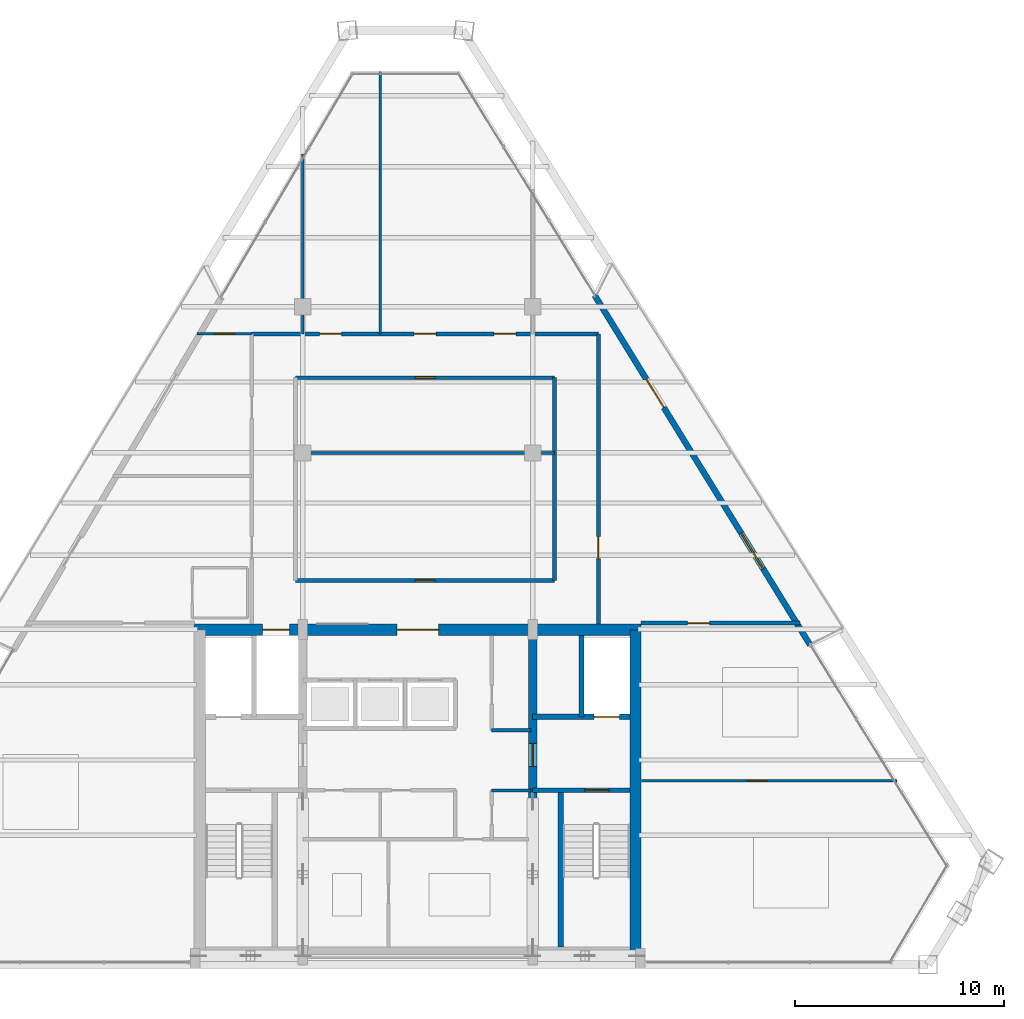
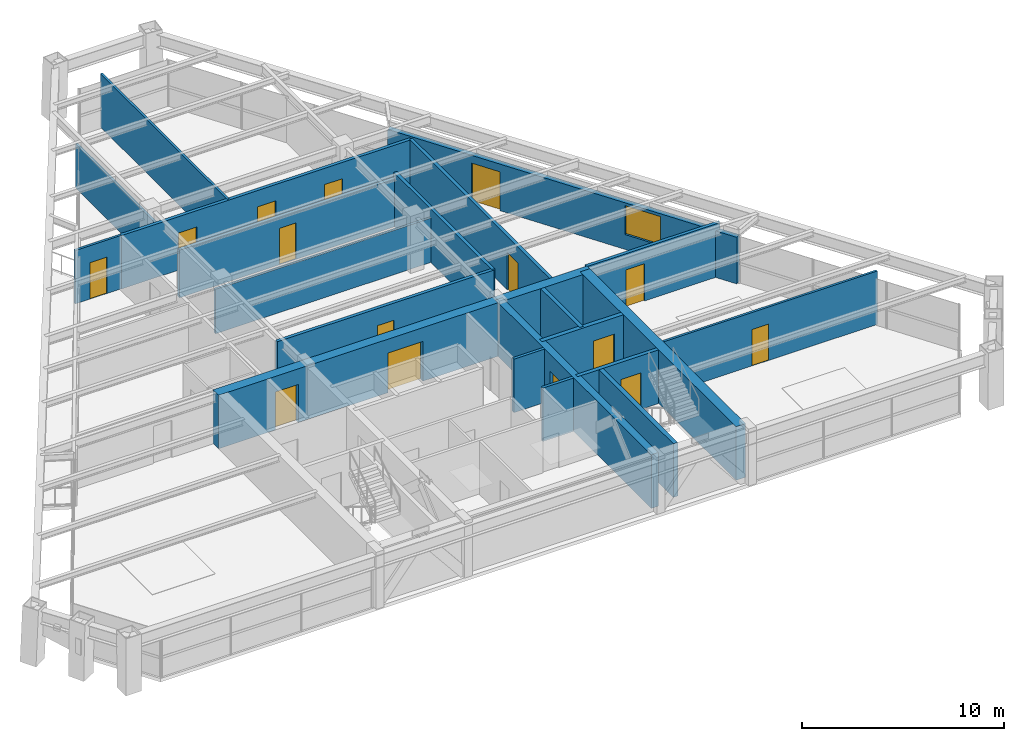
# One storey, part 10 of 14: 21 walls, 15 doors, 1 window, 16 openings.
"""IFC4 building model written with IfcOpenShell, lengths in metres."""

from ifc_helpers import new_model, si_unit, direction, frame, frame_2d, origin, place, context, subcontext, project, spatial, rectangle, extrude, source, transform, mapped, material, layer, layer_set, type_object, type_shapes, element, fill, save


model = new_model("IFC4")

# Units and contexts
model_context = context("Model", 3, precision=1e-05, world=origin(), true_north=direction((0.0, 1.0)))
body_context = subcontext(model_context, "Body", "Model", "MODEL_VIEW")
ifc_project = project(units=[si_unit("LENGTHUNIT", "METRE"), si_unit("AREAUNIT", "SQUARE_METRE"), si_unit("VOLUMEUNIT", "CUBIC_METRE"), si_unit("PLANEANGLEUNIT", "RADIAN"), si_unit("MASSUNIT", "GRAM", prefix="KILO")], contexts=[model_context])

# Site, building, storey
site_placement = place(None, origin())
site = spatial("IfcSite", under=ifc_project, at=site_placement, CompositionType="ELEMENT")
building_placement = place(site_placement, origin())
building = spatial("IfcBuilding", under=site, at=building_placement, Name="Varnakhor Terracotta Tower", CompositionType="ELEMENT")
storey_placement = place(building_placement, frame((0.0, 0.0, 240.699951171875)))
storey = spatial("IfcBuildingStorey", under=building, at=storey_placement, Name="L62", CompositionType="ELEMENT", Elevation=240.699951171875)

# Wall, openings, doors
ifc_material_1 = material(Name="Concrete C50/60", Category="concrete")
ifc_layer_1 = layer(ifc_material_1, 0.550048828125, Name="Concrete C50/60")
ifc_layer_set_1 = layer_set([ifc_layer_1], Name="Concrete C50/60")
wall_type_1 = type_object("IfcWallType", Name="WAL-CORE-550", PredefinedType="SHEAR", material=ifc_layer_set_1)
wall_1_placement = place(storey_placement, frame((-10.699951171875, 16.02490234375, 0.0), z_axis=(0.0, 0.0, 1.0), x_axis=(1.0, 0.0, 0.0)))
wall_1 = element("IfcWall", 1, at=wall_1_placement, inside=storey, type_object=wall_type_1, Name="L62 North Core Shear Wall", PredefinedType="SHEAR", context=body_context, shape_type="SweptSolid", body=[
    extrude(rectangle(XDim=21.39990234375, YDim=0.550048828125, at=frame_2d((10.699951171875, 0.0))), origin(), (0.0, 0.0, 1.0), 3.239990234375),
])
opening_1_placement = place(wall_1_placement, frame((3.27001953125, 0.0, 0.0)))
opening_1 = element("IfcOpeningElement", 2, at=opening_1_placement, cuts=wall_1, Name="Opening LD-03", PredefinedType="OPENING", context=body_context, shape_type="SweptSolid", body=[
    extrude(rectangle(XDim=1.300048828125, YDim=2.300048828125, at=frame_2d((0.64990234375, 1.14990234375))), frame((0.0, 0.28515625, 0.0), z_axis=(0.0, -1.0, 0.0), x_axis=(1.0, 0.0, 0.0)), (0.0, 0.0, 1.0), 0.570068359375),
])
opening_2_placement = place(wall_1_placement, frame((9.699951171875, 0.0, 0.0)))
opening_2 = element("IfcOpeningElement", 3, at=opening_2_placement, cuts=wall_1, Name="Opening DR-32", PredefinedType="OPENING", context=body_context, shape_type="SweptSolid", body=[
    extrude(rectangle(XDim=2.0, YDim=2.39990234375, at=frame_2d((1.0, 1.199951171875))), frame((0.0, 0.28515625, 0.0), z_axis=(0.0, -1.0, 0.0), x_axis=(1.0, 0.0, 0.0)), (0.0, 0.0, 1.0), 0.570068359375),
])
ifc_material_2 = material(Name="Heavy-Duty Goods Sliding Lift Landing Door", Category="steel")
door_type_1 = type_object("IfcDoorType", Name="LD-SRV-1300X2300", OperationType="NOTDEFINED", PredefinedType="DOOR", material=ifc_material_2)
shared_shape_1 = source(origin(), body_context, "Body", "SweptSolid", [
    extrude(rectangle(XDim=1.300048828125, YDim=2.300048828125, at=frame_2d((0.64990234375, 1.14990234375))), frame((0.0, 0.02490234375, 0.0), z_axis=(0.0, -1.0, 0.0), x_axis=(1.0, 0.0, 0.0)), (0.0, 0.0, 1.0), 0.050048828125),
])
type_shapes(door_type_1, [shared_shape_1])
door_1_placement = place(opening_1_placement, origin())
door_1 = element("IfcDoor", 4, at=door_1_placement, inside=storey, type_object=door_type_1, Name="L62 Service Lift SVL-1 Landing Door", OperationType="SLIDING_TO_RIGHT", OverallHeight=2.300048828125, OverallWidth=1.300048828125, PredefinedType="DOOR", context=body_context, shape_type="MappedRepresentation", body=[
    mapped(shared_shape_1, transform((0.0, 0.0, 0.0), scale=1.0)),
])
fill(opening_1, door_1)
ifc_material_3 = material(Name="Acoustic Double Assembly Fire Door", Category="wood")
door_type_2 = type_object("IfcDoorType", Name="DR-HALL-2000X2400", OperationType="NOTDEFINED", PredefinedType="DOOR", material=ifc_material_3)
shared_shape_2 = source(origin(), body_context, "Body", "SweptSolid", [
    extrude(rectangle(XDim=2.0, YDim=2.39990234375, at=frame_2d((1.0, 1.199951171875))), frame((0.0, 0.02490234375, 0.0), z_axis=(0.0, -1.0, 0.0), x_axis=(1.0, 0.0, 0.0)), (0.0, 0.0, 1.0), 0.050048828125),
])
type_shapes(door_type_2, [shared_shape_2])
door_2_placement = place(opening_2_placement, origin())
door_2 = element("IfcDoor", 5, at=door_2_placement, inside=storey, type_object=door_type_2, Name="L62 Core Main Lobby Double Door", OperationType="DOUBLE_DOOR_SINGLE_SWING", OverallHeight=2.39990234375, OverallWidth=2.0, PredefinedType="DOOR", context=body_context, shape_type="MappedRepresentation", body=[
    mapped(shared_shape_2, transform((0.0, 0.0, 0.0), scale=1.0)),
])
fill(opening_2, door_2)

# Wall
wall_2_placement = place(storey_placement, frame((10.425048828125, 0.574951171875, 0.0), z_axis=(0.0, 0.0, 1.0), x_axis=(0.0, 1.0, 0.0)))
element("IfcWall", 6, at=wall_2_placement, inside=storey, type_object=wall_type_1, Name="L62 East Core Shear Wall", PredefinedType="SHEAR", context=body_context, shape_type="SweptSolid", body=[
    extrude(rectangle(XDim=15.449951171875, YDim=0.550048828125, at=frame_2d((7.72509765625, 0.0))), origin(), (0.0, 0.0, 1.0), 3.239990234375),
])

# Wall, opening, door
ifc_layer_2 = layer(ifc_material_1, 0.39990234375, Name="Concrete C50/60")
ifc_layer_set_2 = layer_set([ifc_layer_2], Name="Concrete C50/60")
wall_type_2 = type_object("IfcWallType", Name="WAL-CORE-WEB-400", PredefinedType="SHEAR", material=ifc_layer_set_2)
wall_3_placement = place(storey_placement, frame((5.5, 0.574951171875, 0.0), z_axis=(0.0, 0.0, 1.0), x_axis=(0.0, 1.0, 0.0)))
wall_3 = element("IfcWall", 7, at=wall_3_placement, inside=storey, type_object=wall_type_2, Name="L62 East Core Web Shear Wall", PredefinedType="SHEAR", context=body_context, shape_type="SweptSolid", body=[
    extrude(rectangle(XDim=15.449951171875, YDim=0.39990234375, at=frame_2d((7.72509765625, 0.0))), origin(), (0.0, 0.0, 1.0), 3.239990234375),
])
opening_3_placement = place(wall_3_placement, frame((8.925048828125, 0.0, 0.0)))
opening_3 = element("IfcOpeningElement", 8, at=opening_3_placement, cuts=wall_3, Name="Opening DR-25", PredefinedType="OPENING", context=body_context, shape_type="SweptSolid", body=[
    extrude(rectangle(XDim=1.10009765625, YDim=2.199951171875, at=frame_2d((0.550048828125, 1.10009765625))), frame((0.0, 0.2099609375, 0.0), z_axis=(0.0, -1.0, 0.0), x_axis=(1.0, 0.0, 0.0)), (0.0, 0.0, 1.0), 0.419921875),
])
ifc_material_4 = material(Name="Firefighting Lobby Self-Closing Fire Door", Category="steel")
door_type_3 = type_object("IfcDoorType", Name="DR-FFL-1100X2200", OperationType="NOTDEFINED", PredefinedType="DOOR", material=ifc_material_4)
shared_shape_3 = source(origin(), body_context, "Body", "SweptSolid", [
    extrude(rectangle(XDim=1.10009765625, YDim=2.199951171875, at=frame_2d((0.550048828125, 1.10009765625))), frame((0.0, 0.02490234375, 0.0), z_axis=(0.0, -1.0, 0.0), x_axis=(1.0, 0.0, 0.0)), (0.0, 0.0, 1.0), 0.050048828125),
])
type_shapes(door_type_3, [shared_shape_3])
door_3_placement = place(opening_3_placement, origin())
door_3 = element("IfcDoor", 9, at=door_3_placement, inside=storey, type_object=door_type_3, Name="L62 East Firefighting Lobby Door", OperationType="SINGLE_SWING_RIGHT", OverallHeight=2.199951171875, OverallWidth=1.10009765625, PredefinedType="DOOR", context=body_context, shape_type="MappedRepresentation", body=[
    mapped(shared_shape_3, transform((0.0, 0.0, 0.0), scale=1.0)),
])
fill(opening_3, door_3)

ifc_material_5 = material(Name="Fire-Rated Gypsum Stud Partition", Category="gypsum")
ifc_layer_3 = layer(ifc_material_5, 0.18505859375, Name="Fire-Rated Gypsum Stud Partition")
ifc_layer_set_3 = layer_set([ifc_layer_3], Name="Fire-Rated Gypsum Stud Partition")
wall_type_3 = type_object("IfcWallType", Name="WAL-CORR-185", PredefinedType="PARTITIONING", material=ifc_layer_set_3)
wall_4_placement = place(storey_placement, frame((-5.85009765625, 18.39990234375, 0.0), z_axis=(0.0, 0.0, 1.0), x_axis=(1.0, 0.0, 0.0)))
wall_4 = element("IfcWall", 10, at=wall_4_placement, inside=storey, type_object=wall_type_3, Name="L62 Ring Inner South Wall", PredefinedType="PARTITIONING", context=body_context, shape_type="SweptSolid", body=[
    extrude(rectangle(XDim=12.400146484375, YDim=0.18505859375, at=frame_2d((6.2001953125, 0.0))), origin(), (0.0, 0.0, 1.0), 3.23193359375),
])
opening_4_placement = place(wall_4_placement, frame((5.72509765625, 0.0, 0.0)))
opening_4 = element("IfcOpeningElement", 11, at=opening_4_placement, cuts=wall_4, Name="Opening DR-94", PredefinedType="OPENING", context=body_context, shape_type="SweptSolid", body=[
    extrude(rectangle(XDim=0.949951171875, YDim=2.199951171875, at=frame_2d((0.47509765625, 1.10009765625))), frame((0.0, 0.1025390625, 0.0), z_axis=(0.0, -1.0, 0.0), x_axis=(1.0, 0.0, 0.0)), (0.0, 0.0, 1.0), 0.205078125),
])
ifc_material_6 = material(Name="Acoustic Glazed-Vision Timber Office Door", Category="wood")
door_type_4 = type_object("IfcDoorType", Name="DR-OFF-950X2200", OperationType="NOTDEFINED", PredefinedType="DOOR", material=ifc_material_6)
shared_shape_4 = source(origin(), body_context, "Body", "SweptSolid", [
    extrude(rectangle(XDim=0.949951171875, YDim=2.199951171875, at=frame_2d((0.47509765625, 1.10009765625))), frame((0.0, 0.02490234375, 0.0), z_axis=(0.0, -1.0, 0.0), x_axis=(1.0, 0.0, 0.0)), (0.0, 0.0, 1.0), 0.050048828125),
])
type_shapes(door_type_4, [shared_shape_4])
door_4_placement = place(opening_4_placement, origin())
door_4 = element("IfcDoor", 12, at=door_4_placement, inside=storey, type_object=door_type_4, Name="L62 Housekeeping Station Door", OperationType="SINGLE_SWING_LEFT", OverallHeight=2.199951171875, OverallWidth=0.949951171875, PredefinedType="DOOR", context=body_context, shape_type="MappedRepresentation", body=[
    mapped(shared_shape_4, transform((0.0, 0.0, 0.0), scale=1.0)),
])
fill(opening_4, door_4)

wall_5_placement = place(storey_placement, frame((-5.85009765625, 28.10009765625, 0.0), z_axis=(0.0, 0.0, 1.0), x_axis=(1.0, 0.0, 0.0)))
wall_5 = element("IfcWall", 13, at=wall_5_placement, inside=storey, type_object=wall_type_3, Name="L62 Ring Inner North Wall", PredefinedType="PARTITIONING", context=body_context, shape_type="SweptSolid", body=[
    extrude(rectangle(XDim=12.400146484375, YDim=0.18505859375, at=frame_2d((6.2001953125, 0.0))), origin(), (0.0, 0.0, 1.0), 2.885009765625),
])
opening_5_placement = place(wall_5_placement, frame((5.72509765625, 0.0, 0.0)))
opening_5 = element("IfcOpeningElement", 14, at=opening_5_placement, cuts=wall_5, Name="Opening DR-94", PredefinedType="OPENING", context=body_context, shape_type="SweptSolid", body=[
    extrude(rectangle(XDim=0.949951171875, YDim=2.199951171875, at=frame_2d((0.47509765625, 1.10009765625))), frame((0.0, 0.1025390625, 0.0), z_axis=(0.0, -1.0, 0.0), x_axis=(1.0, 0.0, 0.0)), (0.0, 0.0, 1.0), 0.205078125),
])
door_5_placement = place(opening_5_placement, origin())
door_5 = element("IfcDoor", 15, at=door_5_placement, inside=storey, type_object=door_type_4, Name="L62 Inner Service Door", OperationType="SINGLE_SWING_RIGHT", OverallHeight=2.199951171875, OverallWidth=0.949951171875, PredefinedType="DOOR", context=body_context, shape_type="MappedRepresentation", body=[
    mapped(shared_shape_4, transform((0.0, 0.0, 0.0), scale=1.0)),
])
fill(opening_5, door_5)

# Wall
wall_6_placement = place(storey_placement, frame((6.550048828125, 18.39990234375, 0.0), z_axis=(0.0, 0.0, 1.0), x_axis=(0.0, 1.0, 0.0)))
element("IfcWall", 16, at=wall_6_placement, inside=storey, type_object=wall_type_3, Name="L62 Ring Inner East Wall", PredefinedType="PARTITIONING", context=body_context, shape_type="SweptSolid", body=[
    extrude(rectangle(XDim=9.7001953125, YDim=0.18505859375, at=frame_2d((4.85009765625, 0.0))), origin(), (0.0, 0.0, 1.0), 3.23193359375),
])

# Wall, opening, door
wall_7_placement = place(storey_placement, frame((8.64990234375, 16.300048828125, 0.0), z_axis=(0.0, 0.0, 1.0), x_axis=(0.0, 1.0, 0.0)))
wall_7 = element("IfcWall", 17, at=wall_7_placement, inside=storey, type_object=wall_type_3, Name="L62 Hotel East Corridor Wall", PredefinedType="PARTITIONING", context=body_context, shape_type="SweptSolid", body=[
    extrude(rectangle(XDim=13.89990234375, YDim=0.18505859375, at=frame_2d((6.949951171875, 0.0))), origin(), (0.0, 0.0, 1.0), 3.23193359375),
])
opening_6_placement = place(wall_7_placement, frame((3.143798828125, 0.0, 0.0)))
opening_6 = element("IfcOpeningElement", 18, at=opening_6_placement, cuts=wall_7, Name="Opening DR-95", PredefinedType="OPENING", context=body_context, shape_type="SweptSolid", body=[
    extrude(rectangle(XDim=1.050048828125, YDim=2.25, at=frame_2d((0.52490234375, 1.125))), frame((0.0, 0.1025390625, 0.0), z_axis=(0.0, -1.0, 0.0), x_axis=(1.0, 0.0, 0.0)), (0.0, 0.0, 1.0), 0.205078125),
])
ifc_material_7 = material(Name="Solid-Core Timber Tenant/Hotel Entrance Door", Category="wood")
door_type_5 = type_object("IfcDoorType", Name="DR-SUITE-1050X2250", OperationType="NOTDEFINED", PredefinedType="DOOR", material=ifc_material_7)
shared_shape_5 = source(origin(), body_context, "Body", "SweptSolid", [
    extrude(rectangle(XDim=1.050048828125, YDim=2.25, at=frame_2d((0.52490234375, 1.125))), frame((0.0, 0.02490234375, 0.0), z_axis=(0.0, -1.0, 0.0), x_axis=(1.0, 0.0, 0.0)), (0.0, 0.0, 1.0), 0.050048828125),
])
type_shapes(door_type_5, [shared_shape_5])
door_6_placement = place(opening_6_placement, origin())
door_6 = element("IfcDoor", 19, at=door_6_placement, inside=storey, type_object=door_type_5, Name="L62 East Room 1 Entry Door", OperationType="SINGLE_SWING_LEFT", OverallHeight=2.25, OverallWidth=1.050048828125, PredefinedType="DOOR", context=body_context, shape_type="MappedRepresentation", body=[
    mapped(shared_shape_5, transform((0.0, 0.0, 0.0), scale=1.0)),
])
fill(opening_6, door_6)

# Wall, openings, doors
wall_8_placement = place(storey_placement, frame((-7.949951171875, 30.199951171875, 0.0), z_axis=(0.0, 0.0, 1.0), x_axis=(1.0, 0.0, 0.0)))
wall_8 = element("IfcWall", 20, at=wall_8_placement, inside=storey, type_object=wall_type_3, Name="L62 Hotel North Corridor Wall", PredefinedType="PARTITIONING", context=body_context, shape_type="SweptSolid", body=[
    extrude(rectangle(XDim=16.599853515625, YDim=0.18505859375, at=frame_2d((8.2998046875, 0.0))), origin(), (0.0, 0.0, 1.0), 3.23193359375),
])
opening_7_placement = place(wall_8_placement, frame((3.25, 0.0, 0.0)))
opening_7 = element("IfcOpeningElement", 21, at=opening_7_placement, cuts=wall_8, Name="Opening DR-95", PredefinedType="OPENING", context=body_context, shape_type="SweptSolid", body=[
    extrude(rectangle(XDim=1.050048828125, YDim=2.25, at=frame_2d((0.52490234375, 1.125))), frame((0.0, 0.1025390625, 0.0), z_axis=(0.0, -1.0, 0.0), x_axis=(1.0, 0.0, 0.0)), (0.0, 0.0, 1.0), 0.205078125),
])
opening_8_placement = place(wall_8_placement, frame((7.77490234375, 0.0, 0.0)))
opening_8 = element("IfcOpeningElement", 22, at=opening_8_placement, cuts=wall_8, Name="Opening DR-95", PredefinedType="OPENING", context=body_context, shape_type="SweptSolid", body=[
    extrude(rectangle(XDim=1.050048828125, YDim=2.25, at=frame_2d((0.52490234375, 1.125))), frame((0.0, 0.1025390625, 0.0), z_axis=(0.0, -1.0, 0.0), x_axis=(1.0, 0.0, 0.0)), (0.0, 0.0, 1.0), 0.205078125),
])
opening_9_placement = place(wall_8_placement, frame((11.60009765625, 0.0, 0.0)))
opening_9 = element("IfcOpeningElement", 23, at=opening_9_placement, cuts=wall_8, Name="Opening DR-95", PredefinedType="OPENING", context=body_context, shape_type="SweptSolid", body=[
    extrude(rectangle(XDim=1.050048828125, YDim=2.25, at=frame_2d((0.52490234375, 1.125))), frame((0.0, 0.1025390625, 0.0), z_axis=(0.0, -1.0, 0.0), x_axis=(1.0, 0.0, 0.0)), (0.0, 0.0, 1.0), 0.205078125),
])
door_7_placement = place(opening_7_placement, origin())
door_7 = element("IfcDoor", 24, at=door_7_placement, inside=storey, type_object=door_type_5, Name="L62 North Suite 1 Entry Door", OperationType="SINGLE_SWING_RIGHT", OverallHeight=2.25, OverallWidth=1.050048828125, PredefinedType="DOOR", context=body_context, shape_type="MappedRepresentation", body=[
    mapped(shared_shape_5, transform((0.0, 0.0, 0.0), scale=1.0)),
])
fill(opening_7, door_7)
door_8_placement = place(opening_8_placement, origin())
door_8 = element("IfcDoor", 25, at=door_8_placement, inside=storey, type_object=door_type_5, Name="L62 North Suite 2 Entry Door", OperationType="SINGLE_SWING_LEFT", OverallHeight=2.25, OverallWidth=1.050048828125, PredefinedType="DOOR", context=body_context, shape_type="MappedRepresentation", body=[
    mapped(shared_shape_5, transform((0.0, 0.0, 0.0), scale=1.0)),
])
fill(opening_8, door_8)
door_9_placement = place(opening_9_placement, origin())
door_9 = element("IfcDoor", 26, at=door_9_placement, inside=storey, type_object=door_type_5, Name="L62 North Suite 3 Entry Door", OperationType="SINGLE_SWING_RIGHT", OverallHeight=2.25, OverallWidth=1.050048828125, PredefinedType="DOOR", context=body_context, shape_type="MappedRepresentation", body=[
    mapped(shared_shape_5, transform((0.0, 0.0, 0.0), scale=1.0)),
])
fill(opening_9, door_9)

# Wall, opening, door
wall_9_placement = place(storey_placement, frame((10.679931640625, 16.35009765625, 0.0), z_axis=(0.0, 0.0, 1.0), x_axis=(1.0, 0.0, 0.0)))
wall_9 = element("IfcWall", 27, at=wall_9_placement, inside=storey, type_object=wall_type_3, Name="L62 South East Guest Entry Wall", PredefinedType="PARTITIONING", context=body_context, shape_type="SweptSolid", body=[
    extrude(rectangle(XDim=7.614990234375, YDim=0.18505859375, at=frame_2d((3.8076171875, 0.0))), origin(), (0.0, 0.0, 1.0), 3.23193359375),
])
opening_10_placement = place(wall_9_placement, frame((2.2421875, 0.0, 0.0)))
opening_10 = element("IfcOpeningElement", 28, at=opening_10_placement, cuts=wall_9, Name="Opening DR-95", PredefinedType="OPENING", context=body_context, shape_type="SweptSolid", body=[
    extrude(rectangle(XDim=1.050048828125, YDim=2.25, at=frame_2d((0.52490234375, 1.125))), frame((0.0, 0.1025390625, 0.0), z_axis=(0.0, -1.0, 0.0), x_axis=(1.0, 0.0, 0.0)), (0.0, 0.0, 1.0), 0.205078125),
])
door_10_placement = place(opening_10_placement, origin())
door_10 = element("IfcDoor", 29, at=door_10_placement, inside=storey, type_object=door_type_5, Name="L62 SE Suite Entry Door", OperationType="SINGLE_SWING_RIGHT", OverallHeight=2.25, OverallWidth=1.050048828125, PredefinedType="DOOR", context=body_context, shape_type="MappedRepresentation", body=[
    mapped(shared_shape_5, transform((0.0, 0.0, 0.0), scale=1.0)),
])
fill(opening_10, door_10)

# Wall, openings, door, window
ifc_material_8 = material(Name="Extruded Architectural Terracotta Assembly", Category="masonry")
ifc_layer_4 = layer(ifc_material_8, 0.280029296875, Name="Extruded Architectural Terracotta Assembly")
ifc_layer_set_4 = layer_set([ifc_layer_4], Name="Extruded Architectural Terracotta Assembly")
wall_type_4 = type_object("IfcWallType", Name="WAL-EXT-TERRACOTTA-280", PredefinedType="SOLIDWALL", material=ifc_layer_set_4)
wall_10_placement = place(storey_placement, frame((8.468017578125, 32.04443359375, 0.0), z_axis=(0.0, 0.0, 1.0), x_axis=(0.524731986951, -0.851267491374, 0.0)))
wall_10 = element("IfcWall", 30, at=wall_10_placement, inside=storey, type_object=wall_type_4, Name="L62 E Loggia Insulated Terracotta Wall", PredefinedType="SOLIDWALL", context=body_context, shape_type="SweptSolid", body=[
    extrude(rectangle(XDim=19.658447265625, YDim=0.280029296875, at=frame_2d((9.8291015625, 0.0))), origin(), (0.0, 0.0, 1.0), 2.820068359375),
])
opening_11_placement = place(wall_10_placement, frame((4.718017578125, 0.0, 0.0)))
opening_11 = element("IfcOpeningElement", 31, at=opening_11_placement, cuts=wall_10, Name="Opening DR-62", PredefinedType="OPENING", context=body_context, shape_type="SweptSolid", body=[
    extrude(rectangle(XDim=1.60009765625, YDim=2.35009765625, at=frame_2d((0.800048828125, 1.175048828125))), frame((0.0, 0.14990234375, 0.0), z_axis=(0.0, -1.0, 0.0), x_axis=(1.0, 0.0, 0.0)), (0.0, 0.0, 1.0), 0.300048828125),
])
opening_12_placement = place(wall_10_placement, frame((13.367919921875, 0.0, 0.89990234375)))
opening_12 = element("IfcOpeningElement", 32, at=opening_12_placement, cuts=wall_10, Name="Opening WN-63", PredefinedType="OPENING", context=body_context, shape_type="SweptSolid", body=[
    extrude(rectangle(XDim=2.0, YDim=1.75, at=frame_2d((1.0, 0.875))), frame((0.0, 0.14990234375, 0.0), z_axis=(0.0, -1.0, 0.0), x_axis=(1.0, 0.0, 0.0)), (0.0, 0.0, 1.0), 0.300048828125),
])
ifc_material_9 = material(Name="Thermally Broken Sliding Glass Loggia Door", Category="glass")
door_type_6 = type_object("IfcDoorType", Name="DR-EXT-LOGGIA-1600X2350", OperationType="NOTDEFINED", PredefinedType="DOOR", material=ifc_material_9)
shared_shape_6 = source(origin(), body_context, "Body", "SweptSolid", [
    extrude(rectangle(XDim=1.60009765625, YDim=2.35009765625, at=frame_2d((0.800048828125, 1.175048828125))), frame((0.0, 0.02490234375, 0.0), z_axis=(0.0, -1.0, 0.0), x_axis=(1.0, 0.0, 0.0)), (0.0, 0.0, 1.0), 0.050048828125),
])
type_shapes(door_type_6, [shared_shape_6])
door_11_placement = place(opening_11_placement, origin())
door_11 = element("IfcDoor", 33, at=door_11_placement, inside=storey, type_object=door_type_6, Name="L62 E Recessed Loggia Sliding Door", OperationType="SLIDING_TO_RIGHT", OverallHeight=2.35009765625, OverallWidth=1.60009765625, PredefinedType="DOOR", context=body_context, shape_type="MappedRepresentation", body=[
    mapped(shared_shape_6, transform((0.0, 0.0, 0.0), scale=1.0)),
])
fill(opening_11, door_11)
ifc_material_10 = material(Name="Solar-Control Low-E Insulated Glass Unit", Category="glass")
window_type = type_object("IfcWindowType", Name="WIN-HTL-2000X1950", PartitioningType="SINGLE_PANEL", PredefinedType="WINDOW", material=ifc_material_10)
shared_shape_7 = source(origin(), body_context, "Body", "SweptSolid", [
    extrude(rectangle(XDim=2.0, YDim=1.75, at=frame_2d((1.0, 0.875))), frame((0.0, 0.030029296875, 0.0), z_axis=(0.0, -1.0, 0.0), x_axis=(1.0, 0.0, 0.0)), (0.0, 0.0, 1.0), 0.06005859375),
])
type_shapes(window_type, [shared_shape_7])
window_placement = place(opening_12_placement, origin())
window = element("IfcWindow", 34, at=window_placement, inside=storey, type_object=window_type, Name="L62 E Facet Punched Window", OverallHeight=1.75, OverallWidth=2.0, PartitioningType="SINGLE_PANEL", PredefinedType="WINDOW", context=body_context, shape_type="MappedRepresentation", body=[
    mapped(shared_shape_7, transform((0.0, 0.0, 0.0), scale=1.0)),
])
fill(opening_12, window)

# Wall, opening, door
ifc_material_11 = material(Name="Concrete C40/50", Category="concrete")
ifc_layer_5 = layer(ifc_material_11, 0.219970703125, Name="Concrete C40/50")
ifc_layer_set_5 = layer_set([ifc_layer_5], Name="Concrete C40/50")
wall_type_5 = type_object("IfcWallType", Name="WAL-FFLOBBY-220", PredefinedType="SOLIDWALL", material=ifc_layer_set_5)
wall_11_placement = place(storey_placement, frame((10.14990234375, 8.35009765625, 0.0), z_axis=(0.0, 0.0, 1.0), x_axis=(-1.0, 0.0, 0.0)))
wall_11 = element("IfcWall", 35, at=wall_11_placement, inside=storey, type_object=wall_type_5, Name="L62 East Firefighting Lobby Stair Wall", PredefinedType="SOLIDWALL", context=body_context, shape_type="SweptSolid", body=[
    extrude(rectangle(XDim=4.64990234375, YDim=0.219970703125, at=frame_2d((2.324951171875, 0.0))), origin(), (0.0, 0.0, 1.0), 3.239990234375),
])
opening_13_placement = place(wall_11_placement, frame((1.0, 0.0, 0.0)))
opening_13 = element("IfcOpeningElement", 36, at=opening_13_placement, cuts=wall_11, Name="Opening DR-34", PredefinedType="OPENING", context=body_context, shape_type="SweptSolid", body=[
    extrude(rectangle(XDim=1.14990234375, YDim=2.199951171875, at=frame_2d((0.574951171875, 1.10009765625))), frame((0.0, 0.1201171875, 0.0), z_axis=(0.0, -1.0, 0.0), x_axis=(1.0, 0.0, 0.0)), (0.0, 0.0, 1.0), 0.239990234375),
])
ifc_material_12 = material(Name="Self-Closing Smoke-Sealed Steel Fire Door", Category="steel")
door_type_7 = type_object("IfcDoorType", Name="DR-STAIR-1150X2200", OperationType="NOTDEFINED", PredefinedType="DOOR", material=ifc_material_12)
shared_shape_8 = source(origin(), body_context, "Body", "SweptSolid", [
    extrude(rectangle(XDim=1.14990234375, YDim=2.199951171875, at=frame_2d((0.574951171875, 1.10009765625))), frame((0.0, 0.02490234375, 0.0), z_axis=(0.0, -1.0, 0.0), x_axis=(1.0, 0.0, 0.0)), (0.0, 0.0, 1.0), 0.050048828125),
])
type_shapes(door_type_7, [shared_shape_8])
door_12_placement = place(opening_13_placement, origin())
door_12 = element("IfcDoor", 37, at=door_12_placement, inside=storey, type_object=door_type_7, Name="L62 Exit Stair ST-2 Fire Door", OperationType="SINGLE_SWING_LEFT", OverallHeight=2.199951171875, OverallWidth=1.14990234375, PredefinedType="DOOR", context=body_context, shape_type="MappedRepresentation", body=[
    mapped(shared_shape_8, transform((0.0, 0.0, 0.0), scale=1.0)),
])
fill(opening_13, door_12)

ifc_material_13 = material(Name="Acoustic Hotel Room Partition", Category="gypsum")
ifc_layer_6 = layer(ifc_material_13, 0.1298828125, Name="Acoustic Hotel Room Partition")
ifc_layer_set_6 = layer_set([ifc_layer_6], Name="Acoustic Hotel Room Partition")
wall_type_6 = type_object("IfcWallType", Name="WAL-PART-130", PredefinedType="PARTITIONING", material=ifc_layer_set_6)
wall_12_placement = place(storey_placement, frame((-10.576171875, 30.199951171875, 0.0), z_axis=(0.0, 0.0, 1.0), x_axis=(1.0, 0.0, 0.0)))
wall_12 = element("IfcWall", 38, at=wall_12_placement, inside=storey, type_object=wall_type_6, Name="L62 North West Suite South Wall", PredefinedType="PARTITIONING", context=body_context, shape_type="SweptSolid", body=[
    extrude(rectangle(XDim=2.626220703125, YDim=0.1298828125, at=frame_2d((1.31298828125, 0.0))), origin(), (0.0, 0.0, 1.0), 3.23193359375),
])
opening_14_placement = place(wall_12_placement, frame((0.843017578125, 0.0, 0.0)))
opening_14 = element("IfcOpeningElement", 39, at=opening_14_placement, cuts=wall_12, Name="Opening DR-94", PredefinedType="OPENING", context=body_context, shape_type="SweptSolid", body=[
    extrude(rectangle(XDim=0.949951171875, YDim=2.199951171875, at=frame_2d((0.47509765625, 1.10009765625))), frame((0.0, 0.074951171875, 0.0), z_axis=(0.0, -1.0, 0.0), x_axis=(1.0, 0.0, 0.0)), (0.0, 0.0, 1.0), 0.14990234375),
])
door_13_placement = place(opening_14_placement, origin())
door_13 = element("IfcDoor", 40, at=door_13_placement, inside=storey, type_object=door_type_4, Name="L62 Herbal Tea Kitchen NW Door", OperationType="SINGLE_SWING_LEFT", OverallHeight=2.199951171875, OverallWidth=0.949951171875, PredefinedType="DOOR", context=body_context, shape_type="MappedRepresentation", body=[
    mapped(shared_shape_4, transform((0.0, 0.0, 0.0), scale=1.0)),
])
fill(opening_14, door_13)

# Walls
wall_13_placement = place(storey_placement, frame((-5.5, 30.199951171875, 0.0), z_axis=(0.0, 0.0, 1.0), x_axis=(0.0, 1.0, 0.0)))
element("IfcWall", 41, at=wall_13_placement, inside=storey, type_object=wall_type_6, Name="L62 North West Column Wall", PredefinedType="PARTITIONING", context=body_context, shape_type="SweptSolid", body=[
    extrude(rectangle(XDim=8.61376953125, YDim=0.1298828125, at=frame_2d((4.306884765625, 0.0))), origin(), (0.0, 0.0, 1.0), 2.68310546875),
])
wall_14_placement = place(storey_placement, frame((-1.800048828125, 30.199951171875, 0.0), z_axis=(0.0, 0.0, 1.0), x_axis=(0.0, 1.0, 0.0)))
element("IfcWall", 42, at=wall_14_placement, inside=storey, type_object=wall_type_6, Name="L62 North Suite Split 1", PredefinedType="PARTITIONING", context=body_context, shape_type="SweptSolid", body=[
    extrude(rectangle(XDim=12.557373046875, YDim=0.1298828125, at=frame_2d((6.27880859375, 0.0))), origin(), (0.0, 0.0, 1.0), 3.23193359375),
])

# Wall, opening, door
wall_15_placement = place(storey_placement, frame((10.719970703125, 8.800048828125, 0.0), z_axis=(0.0, 0.0, 1.0), x_axis=(1.0, 0.0, 0.0)))
wall_15 = element("IfcWall", 43, at=wall_15_placement, inside=storey, type_object=wall_type_6, Name="L62 SE Key Split 1", PredefinedType="PARTITIONING", context=body_context, shape_type="SweptSolid", body=[
    extrude(rectangle(XDim=12.22900390625, YDim=0.1298828125, at=frame_2d((6.114501953125, 0.0))), origin(), (0.0, 0.0, 1.0), 3.23193359375),
])
opening_15_placement = place(wall_15_placement, frame((5.06201171875, 0.0, 0.0)))
opening_15 = element("IfcOpeningElement", 44, at=opening_15_placement, cuts=wall_15, Name="Opening DR-94", PredefinedType="OPENING", context=body_context, shape_type="SweptSolid", body=[
    extrude(rectangle(XDim=0.949951171875, YDim=2.199951171875, at=frame_2d((0.47509765625, 1.10009765625))), frame((0.0, 0.074951171875, 0.0), z_axis=(0.0, -1.0, 0.0), x_axis=(1.0, 0.0, 0.0)), (0.0, 0.0, 1.0), 0.14990234375),
])
door_14_placement = place(opening_15_placement, origin())
door_14 = element("IfcDoor", 45, at=door_14_placement, inside=storey, type_object=door_type_4, Name="L62 SE Suite Connect Door 1", OperationType="SINGLE_SWING_LEFT", OverallHeight=2.199951171875, OverallWidth=0.949951171875, PredefinedType="DOOR", context=body_context, shape_type="MappedRepresentation", body=[
    mapped(shared_shape_4, transform((0.0, 0.0, 0.0), scale=1.0)),
])
fill(opening_15, door_14)

# Walls
ifc_material_14 = material(Name="Acoustic Metal-Stud Partition", Category="gypsum")
ifc_layer_7 = layer(ifc_material_14, 0.139892578125, Name="Acoustic Metal-Stud Partition")
ifc_layer_set_7 = layer_set([ifc_layer_7], Name="Acoustic Metal-Stud Partition")
wall_type_7 = type_object("IfcWallType", Name="WAL-PART-140", PredefinedType="PARTITIONING", material=ifc_layer_set_7)
wall_16_placement = place(storey_placement, frame((-5.85009765625, 24.5, 0.0), z_axis=(0.0, 0.0, 1.0), x_axis=(1.0, 0.0, 0.0)))
element("IfcWall", 46, at=wall_16_placement, inside=storey, type_object=wall_type_7, Name="L62 Inner Service Split", PredefinedType="PARTITIONING", context=body_context, shape_type="SweptSolid", body=[
    extrude(rectangle(XDim=12.400146484375, YDim=0.139892578125, at=frame_2d((6.2001953125, 0.0))), origin(), (0.0, 0.0, 1.0), 2.68310546875),
])
ifc_layer_8 = layer(ifc_material_11, 0.219970703125, Name="Concrete C40/50")
ifc_layer_set_8 = layer_set([ifc_layer_8], Name="Concrete C40/50")
wall_type_8 = type_object("IfcWallType", Name="WAL-SHAFT-220", PredefinedType="SOLIDWALL", material=ifc_layer_set_8)
wall_17_placement = place(storey_placement, frame((7.840087890625, 11.8701171875, 0.0), z_axis=(0.0, 0.0, 1.0), x_axis=(0.0, 1.0, 0.0)))
element("IfcWall", 47, at=wall_17_placement, inside=storey, type_object=wall_type_8, Name="L62 Lift FFL-2 and Riser Divider Wall", PredefinedType="SOLIDWALL", context=body_context, shape_type="SweptSolid", body=[
    extrude(rectangle(XDim=3.8798828125, YDim=0.219970703125, at=frame_2d((1.93994140625, 0.0))), origin(), (0.0, 0.0, 1.0), 3.239990234375),
])
ifc_layer_9 = layer(ifc_material_11, 0.25, Name="Concrete C40/50")
ifc_layer_set_9 = layer_set([ifc_layer_9], Name="Concrete C40/50")
wall_type_9 = type_object("IfcWallType", Name="WAL-SHAFT-250", PredefinedType="SOLIDWALL", material=ifc_layer_set_9)
wall_18_placement = place(storey_placement, frame((6.85009765625, 0.85009765625, 0.0), z_axis=(0.0, 0.0, 1.0), x_axis=(0.0, 1.0, 0.0)))
element("IfcWall", 48, at=wall_18_placement, inside=storey, type_object=wall_type_9, Name="L62 Stair ST-2 Bearing Shaft Wall", PredefinedType="SOLIDWALL", context=body_context, shape_type="SweptSolid", body=[
    extrude(rectangle(XDim=7.5, YDim=0.25, at=frame_2d((3.75, 0.0))), origin(), (0.0, 0.0, 1.0), 3.239990234375),
])

# Wall, opening, door
wall_19_placement = place(storey_placement, frame((10.14990234375, 11.8701171875, 0.0), z_axis=(0.0, 0.0, 1.0), x_axis=(-1.0, 0.0, 0.0)))
wall_19 = element("IfcWall", 49, at=wall_19_placement, inside=storey, type_object=wall_type_9, Name="L62 Lift FFL-2 Shaft Front Wall", PredefinedType="SOLIDWALL", context=body_context, shape_type="SweptSolid", body=[
    extrude(rectangle(XDim=4.64990234375, YDim=0.25, at=frame_2d((2.324951171875, 0.0))), origin(), (0.0, 0.0, 1.0), 3.239990234375),
])
opening_16_placement = place(wall_19_placement, frame((0.5, 0.0, 0.0)))
opening_16 = element("IfcOpeningElement", 50, at=opening_16_placement, cuts=wall_19, Name="Opening LD-02", PredefinedType="OPENING", context=body_context, shape_type="SweptSolid", body=[
    extrude(rectangle(XDim=1.199951171875, YDim=2.25, at=frame_2d((0.60009765625, 1.125))), frame((0.0, 0.135009765625, 0.0), z_axis=(0.0, -1.0, 0.0), x_axis=(1.0, 0.0, 0.0)), (0.0, 0.0, 1.0), 0.27001953125),
])
ifc_material_15 = material(Name="Firefighting Stretcher Sliding Lift Landing Door", Category="steel")
door_type_8 = type_object("IfcDoorType", Name="LD-FFL-1200X2250", OperationType="NOTDEFINED", PredefinedType="DOOR", material=ifc_material_15)
shared_shape_9 = source(origin(), body_context, "Body", "SweptSolid", [
    extrude(rectangle(XDim=1.199951171875, YDim=2.25, at=frame_2d((0.60009765625, 1.125))), frame((0.0, 0.02490234375, 0.0), z_axis=(0.0, -1.0, 0.0), x_axis=(1.0, 0.0, 0.0)), (0.0, 0.0, 1.0), 0.050048828125),
])
type_shapes(door_type_8, [shared_shape_9])
door_15_placement = place(opening_16_placement, origin())
door_15 = element("IfcDoor", 51, at=door_15_placement, inside=storey, type_object=door_type_8, Name="L62 Firefighting Lift FFL-2 Landing Door", OperationType="SLIDING_TO_RIGHT", OverallHeight=2.25, OverallWidth=1.199951171875, PredefinedType="DOOR", context=body_context, shape_type="MappedRepresentation", body=[
    mapped(shared_shape_9, transform((0.0, 0.0, 0.0), scale=1.0)),
])
fill(opening_16, door_15)

# Walls
ifc_material_16 = material(Name="Acoustic Fire-Rated Partition", Category="gypsum")
ifc_layer_10 = layer(ifc_material_16, 0.1650390625, Name="Acoustic Fire-Rated Partition")
ifc_layer_set_10 = layer_set([ifc_layer_10], Name="Acoustic Fire-Rated Partition")
wall_type_10 = type_object("IfcWallType", Name="WAL-TENANCY-165", PredefinedType="PARTITIONING", material=ifc_layer_set_10)
for number, where, z_axis, x_axis, name in (
    (52, (3.5400390625, 8.340087890625, 0.0), (0.0, 0.0, 1.0), (1.0, 0.0, 0.0), "L62 Accessible WC North Wall"),
    (53, (3.5400390625, 11.219970703125, 0.0), (0.0, 0.0, 1.0), (1.0, 0.0, 0.0), "L62 Restroom South Wall"),
):
    element("IfcWall", number, at=place(storey_placement, frame(where, z_axis=z_axis, x_axis=x_axis)), inside=storey, type_object=wall_type_10, Name=name, PredefinedType="PARTITIONING", context=body_context, shape_type="SweptSolid", body=[
        extrude(rectangle(XDim=1.8798828125, YDim=0.1650390625, at=frame_2d((0.93994140625, 0.0))), origin(), (0.0, 0.0, 1.0), 3.23193359375),
    ])

save(model, "model.ifc")
